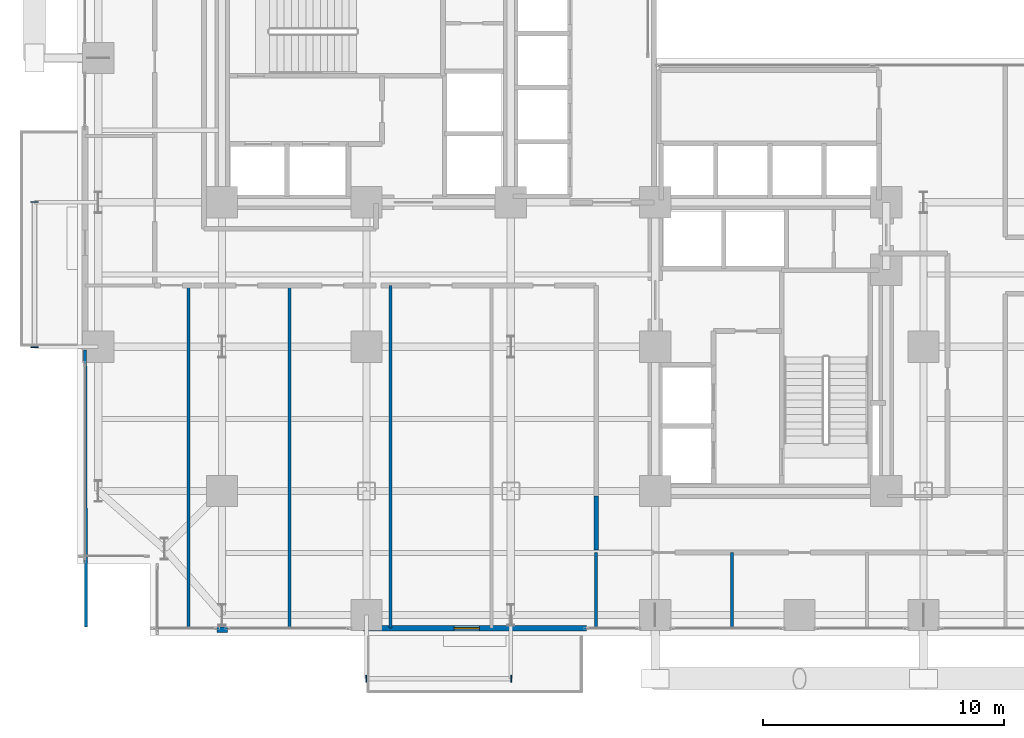
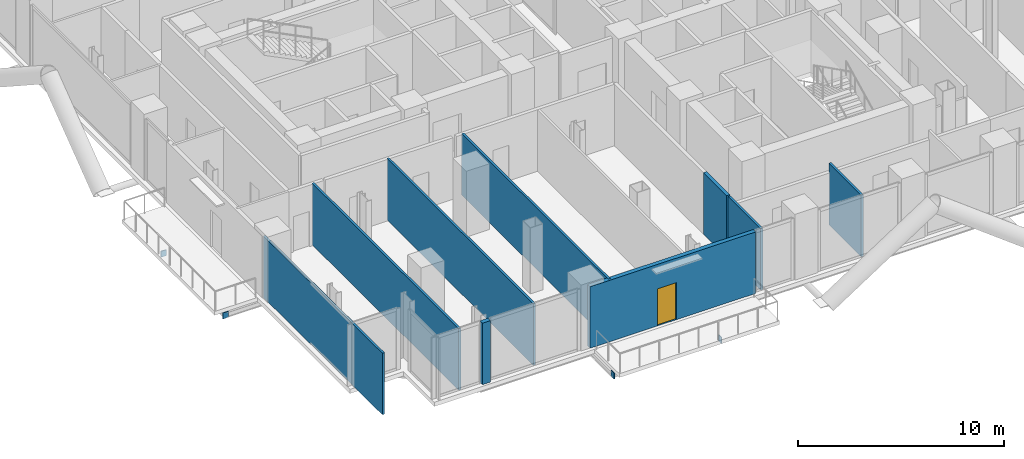
# One storey, part 19 of 25: 9 walls, 4 plates, 1 door, 1 opening.
"""IFC4 building model written with IfcOpenShell, lengths in metres."""

from ifc_helpers import new_model, si_unit, direction, frame, frame_2d, origin, origin_2d, place, context, subcontext, project, spatial, rectangle, extrude, material, layer, layer_set, type_object, element, fill, save


model = new_model("IFC4")

# Units and contexts
model_context = context("Model", 3, precision=1e-05, world=origin(), true_north=direction((0.0, 1.0)))
body_context = subcontext(model_context, "Body", "Model", "MODEL_VIEW")
ifc_project = project(units=[si_unit("LENGTHUNIT", "METRE"), si_unit("AREAUNIT", "SQUARE_METRE"), si_unit("VOLUMEUNIT", "CUBIC_METRE"), si_unit("PLANEANGLEUNIT", "RADIAN"), si_unit("MASSUNIT", "GRAM", prefix="KILO"), si_unit("THERMODYNAMICTEMPERATUREUNIT", "KELVIN"), si_unit("POWERUNIT", "WATT")], contexts=[model_context])

# Site, building, storey
site_placement = place(None, origin())
site = spatial("IfcSite", under=ifc_project, at=site_placement, CompositionType="ELEMENT")
building_placement = place(site_placement, origin())
building = spatial("IfcBuilding", under=site, at=building_placement, Name="Svarakhadi Broadcast Tower", CompositionType="ELEMENT")
storey_placement = place(building_placement, frame((0.0, 0.0, 51.89990234375)))
storey = spatial("IfcBuildingStorey", under=building, at=storey_placement, Name="L11", CompositionType="ELEMENT", Elevation=51.89990234375)

# Plates
ifc_material_1 = material(Name="Steel S460ML (IS 2062 E450BR)", Category="steel")
ifc_layer_1 = layer(ifc_material_1, 0.028076171875)
ifc_layer_set_1 = layer_set([ifc_layer_1], Name="Steel S460ML (IS 2062 E450BR)")
plate_type = type_object("IfcPlateType", Name="Cap_Plate_CP02", PredefinedType="USERDEFINED", material=ifc_layer_set_1)
for number, where, z_axis, x_axis, name in (
    (1, (11.985107421875, -1.800048828125, -0.580078125), (0.0, 0.0, 1.0), (1.0, 0.0, 0.0), "L11 Balcony Spandrel End Cap Plate 1F-A"),
    (2, (18.014892578125, -1.800048828125, -0.580078125), (0.0, 0.0, 1.0), (1.0, 0.0, 0.0), "L11 Balcony Spandrel End Cap Plate 1F-B"),
):
    element("IfcPlate", number, at=place(storey_placement, frame(where, z_axis=z_axis, x_axis=x_axis)), inside=storey, type_object=plate_type, Name=name, ObjectType="FLANGE_PLATE", PredefinedType="USERDEFINED", context=body_context, shape_type="SweptSolid", body=[
        extrude(rectangle(XDim=0.0400390625, YDim=0.300048828125, at=origin_2d()), origin(), (0.0, 0.0, 1.0), 0.360107421875),
    ])
for number, where, z_axis, x_axis, name in (
    (3, (-1.800048828125, 11.985107421875, -0.580078125), (0.0, 0.0, 1.0), (1.0, 0.0, 0.0), "L11 Balcony Spandrel End Cap Plate 2F-A"),
    (4, (-1.800048828125, 18.014892578125, -0.580078125), (0.0, 0.0, 1.0), (1.0, 0.0, 0.0), "L11 Balcony Spandrel End Cap Plate 2F-B"),
):
    element("IfcPlate", number, at=place(storey_placement, frame(where, z_axis=z_axis, x_axis=x_axis)), inside=storey, type_object=plate_type, Name=name, ObjectType="FLANGE_PLATE", PredefinedType="USERDEFINED", context=body_context, shape_type="SweptSolid", body=[
        extrude(rectangle(XDim=0.300048828125, YDim=0.0400390625, at=origin_2d()), origin(), (0.0, 0.0, 1.0), 0.360107421875),
    ])

# Wall
ifc_material_2 = material(Name="Double-Stud Acoustic Studio Partition STC-62", Category="gypsum")
ifc_layer_2 = layer(ifc_material_2, 0.199951171875)
ifc_layer_set_2 = layer_set([ifc_layer_2], Name="Double-Stud Acoustic Studio Partition STC-62")
wall_type_1 = type_object("IfcWallType", Name="Wall_Acoust_200", PredefinedType="PARTITIONING", material=ifc_layer_set_2)
wall_1_placement = place(storey_placement, frame((21.550048828125, 3.550048828125, 0.0), z_axis=(0.0, 0.0, 1.0), x_axis=(0.0, 1.0, 0.0)))
element("IfcWall", 5, at=wall_1_placement, inside=storey, type_object=wall_type_1, Name="L11 Broadcast Corridor Wall", PredefinedType="PARTITIONING", context=body_context, shape_type="SweptSolid", body=[
    extrude(rectangle(XDim=2.25, YDim=0.199951171875, at=frame_2d((1.125, 0.0))), origin(), (0.0, 0.0, 1.0), 3.650146484375),
])

# Wall, opening, door
ifc_material_3 = material(Name="Concrete C40/50 (IS 456 M50)", Category="concrete")
ifc_layer_3 = layer(ifc_material_3, 0.239990234375)
ifc_layer_set_3 = layer_set([ifc_layer_3], Name="Concrete C40/50 (IS 456 M50)")
wall_type_2 = type_object("IfcWallType", Name="Wall_Ext_240", PredefinedType="SOLIDWALL", material=ifc_layer_set_3)
wall_2_placement = place(storey_placement, frame((21.14501953125, 0.300048828125, 0.0), z_axis=(0.0, 0.0, 1.0), x_axis=(-1.0, 0.0, 0.0)))
wall_2 = element("IfcWall", 6, at=wall_2_placement, inside=storey, type_object=wall_type_2, Name="L11 South Tree Balcony Spandrel Wall", PredefinedType="SOLIDWALL", context=body_context, shape_type="SweptSolid", body=[
    extrude(rectangle(XDim=9.2900390625, YDim=0.239990234375, at=frame_2d((4.64501953125, 0.0))), origin(), (0.0, 0.0, 1.0), 3.650146484375),
])
opening_placement = place(wall_2_placement, frame((4.449951171875, 0.0, 0.0)))
opening = element("IfcOpeningElement", 7, at=opening_placement, cuts=wall_2, Name="Opening ED-05", PredefinedType="OPENING", context=body_context, shape_type="SweptSolid", body=[
    extrude(rectangle(XDim=1.050048828125, YDim=2.199951171875, at=frame_2d((0.52490234375, 1.10009765625))), frame((0.0, 0.1298828125, 0.0), z_axis=(0.0, -1.0, 0.0), x_axis=(1.0, 0.0, 0.0)), (0.0, 0.0, 1.0), 0.260009765625),
])
ifc_material_4 = material(Name="Anodised Bronze Aluminium AA 6063-T6", Category="aluminium")
door_type = type_object("IfcDoorType", Name="Door_Ext_ED05", OperationType="SINGLE_SWING_LEFT", PredefinedType="DOOR", material=ifc_material_4)
door_placement = place(opening_placement, origin())
door = element("IfcDoor", 8, at=door_placement, inside=storey, type_object=door_type, Name="L11 South Tree Balcony Door", OperationType="SINGLE_SWING_LEFT", OverallHeight=2.199951171875, OverallWidth=1.050048828125, PredefinedType="DOOR", context=body_context, shape_type="SweptSolid", body=[
    extrude(rectangle(XDim=1.050048828125, YDim=2.199951171875, at=frame_2d((0.52490234375, 1.10009765625))), frame((0.0, 0.02490234375, 0.0), z_axis=(0.0, -1.0, 0.0), x_axis=(1.0, 0.0, 0.0)), (0.0, 0.0, 1.0), 0.050048828125),
])
fill(opening, door)

# Walls
wall_3_placement = place(storey_placement, frame((6.215087890625, 0.239990234375, 0.0), z_axis=(0.0, 0.0, 1.0), x_axis=(-1.0, 0.0, 0.0)))
element("IfcWall", 9, at=wall_3_placement, inside=storey, type_object=wall_type_2, Name="L11 Perimeter Bronze Spandrel Closure Wall 06", PredefinedType="SOLIDWALL", context=body_context, shape_type="SweptSolid", body=[
    extrude(rectangle(XDim=0.43017578125, YDim=0.239990234375, at=frame_2d((0.215087890625, 0.0))), origin(), (0.0, 0.0, 1.0), 3.650146484375),
])
ifc_material_5 = material(Name="Fire-Rated Moisture-Resistant Gypsum Board Partition", Category="gypsum")
ifc_layer_4 = layer(ifc_material_5, 0.125)
ifc_layer_set_4 = layer_set([ifc_layer_4], Name="Fire-Rated Moisture-Resistant Gypsum Board Partition")
wall_type_3 = type_object("IfcWallType", Name="Wall_Part_125", PredefinedType="PARTITIONING", material=ifc_layer_set_4)
wall_4_placement = place(storey_placement, frame((0.35009765625, 0.35009765625, 0.0), z_axis=(0.0, 0.0, 1.0), x_axis=(-0.003522599314, 0.999993795628, 0.0)))
element("IfcWall", 10, at=wall_4_placement, inside=storey, type_object=wall_type_3, Name="L11 Video Edit Pod 1 Wall", PredefinedType="PARTITIONING", context=body_context, shape_type="SweptSolid", body=[
    extrude(rectangle(XDim=11.5048828125, YDim=0.125, at=frame_2d((5.75244140625, 0.0))), origin(), (0.0, 0.0, 1.0), 3.650146484375),
])
for number, where, z_axis, x_axis, name in (
    (11, (4.60009765625, 0.300048828125, 0.0), (0.0, 0.0, 1.0), (0.0, 1.0, 0.0), "L11 Video Edit Pod 1 Wall"),
    (12, (8.800048828125, 0.300048828125, 0.0), (0.0, 0.0, 1.0), (0.0, 1.0, 0.0), "L11 Video Edit Pod 2 Wall"),
    (13, (13.0, 0.300048828125, 0.0), (0.0, 0.0, 1.0), (0.0, 1.0, 0.0), "L11 Audio Mix Room Wall"),
):
    element("IfcWall", number, at=place(storey_placement, frame(where, z_axis=z_axis, x_axis=x_axis)), inside=storey, type_object=wall_type_3, Name=name, PredefinedType="PARTITIONING", context=body_context, shape_type="SweptSolid", body=[
        extrude(rectangle(XDim=14.25, YDim=0.125, at=frame_2d((7.125, 0.0))), origin(), (0.0, 0.0, 1.0), 3.650146484375),
    ])
for number, where, z_axis, x_axis, name in (
    (14, (21.550048828125, 0.300048828125, 0.0), (0.0, 0.0, 1.0), (0.0, 1.0, 0.0), "L11 South Harbour Editorial Desk Wall"),
    (15, (27.199951171875, 0.300048828125, 0.0), (0.0, 0.0, 1.0), (0.0, 1.0, 0.0), "L11 South Harbour Editorial Desk Wall"),
):
    element("IfcWall", number, at=place(storey_placement, frame(where, z_axis=z_axis, x_axis=x_axis)), inside=storey, type_object=wall_type_3, Name=name, PredefinedType="PARTITIONING", context=body_context, shape_type="SweptSolid", body=[
        extrude(rectangle(XDim=3.14990234375, YDim=0.125, at=frame_2d((1.574951171875, 0.0))), origin(), (0.0, 0.0, 1.0), 3.650146484375),
    ])

save(model, "model.ifc")
